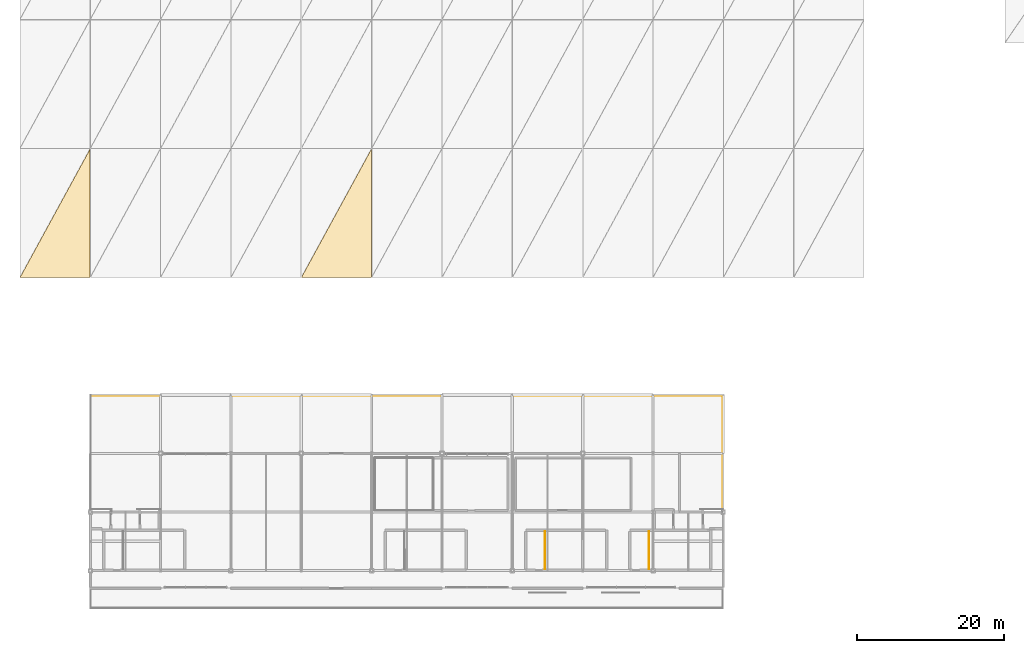
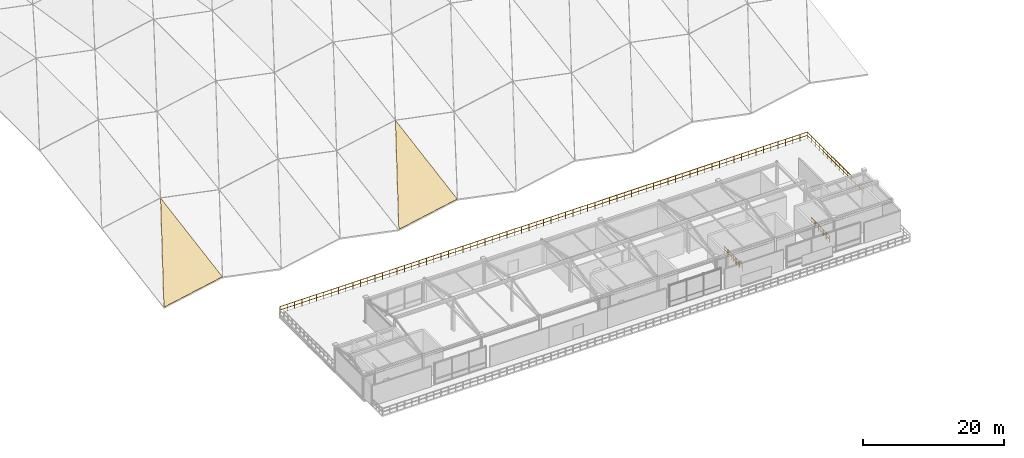
# One storey, part 24 of 26: 5 railings, 2 coverings.
"""IFC4 building model written with IfcOpenShell, lengths in metres."""

from ifc_helpers import new_model, si_unit, direction, frame, origin, origin_2d, place, context, subcontext, project, spatial, polyline, circle, outline, extrude, material, layer, layer_set, type_object, element, save


model = new_model("IFC4")

# Units and contexts
model_context = context("Model", 3, precision=1e-05, world=origin(), true_north=direction((0.0, 1.0)))
body_context = subcontext(model_context, "Body", "Model", "MODEL_VIEW")
ifc_project = project(units=[si_unit("LENGTHUNIT", "METRE"), si_unit("AREAUNIT", "SQUARE_METRE"), si_unit("VOLUMEUNIT", "CUBIC_METRE"), si_unit("PLANEANGLEUNIT", "RADIAN"), si_unit("MASSUNIT", "GRAM", prefix="KILO")], contexts=[model_context])

# Site, building, storey
site_placement = place(None, origin())
site = spatial("IfcSite", under=ifc_project, at=site_placement, CompositionType="ELEMENT")
building_placement = place(site_placement, origin())
building = spatial("IfcBuilding", under=site, at=building_placement, Name="Danafjord Basin Convention Centre", CompositionType="ELEMENT")
storey_placement = place(building_placement, frame((0.0, 0.0, 29.39990234375)))
storey = spatial("IfcBuildingStorey", under=building, at=storey_placement, Name="RF", CompositionType="ELEMENT", Elevation=29.39990234375)

# Coverings
ifc_material_1 = material(Name="Standing-seam zinc insulated roof cladding")
ifc_layer = layer(ifc_material_1, 0.0400390625)
ifc_layer_set = layer_set([ifc_layer], Name="Standing-seam zinc insulated roof cladding")
covering_type = type_object("IfcCoveringType", Name="COV-ROOF-ZINC", PredefinedType="ROOFING", material=ifc_layer_set)
for number, where, z_axis, x_axis, name in (
    (1, (0.031982421875, 56.029296875, -5.348388671875), (-0.193412311273, -0.165479980801, 0.967061556367), (0.980580675691, 0.0, 0.196116135138), "V1 standing-seam zinc roof panel"),
    (2, (38.431884765625, 56.029296875, -5.348388671875), (-0.193412311273, -0.165479980801, 0.967061556367), (0.980580675691, 0.0, 0.196116135138), "V1 standing-seam zinc roof panel"),
):
    element("IfcCovering", number, at=place(storey_placement, frame(where, z_axis=z_axis, x_axis=x_axis)), inside=storey, type_object=covering_type, Name=name, PredefinedType="ROOFING", context=body_context, shape_type="SweptSolid", body=[
        extrude(outline(polyline([(0.0, 0.0), (9.741168870572155, 5.551115123125783e-17), (10.328846957165434, 17.756772866125633), (0.0, 0.0)])), origin(), (0.0, 0.0, -1.0), 0.0400390625),
    ])

# Railings
ifc_material_2 = material(Name="Laminated structural glass and stainless steel", Category="steel")
railing_type_1 = type_object("IfcRailingType", Name="RL-BAL-GLS", PredefinedType="BALUSTRADE", material=ifc_material_2)
railing_placement = place(storey_placement, frame((9.679931640625, 39.919921875, 0.0)))
element("IfcRailing", 3, at=railing_placement, inside=storey, type_object=railing_type_1, Name="RF safety guard balustrade 330", PredefinedType="BALUSTRADE", context=body_context, shape_type="SweptSolid", body=[
    extrude(circle(Radius=0.02392578125, at=origin_2d()), frame((0.0, 0.0, 1.1259765625), z_axis=(1.0, 0.0, 0.0), x_axis=(0.0, 1.0, 0.0)), (0.0, 0.0, 1.0), 86.239990234375),
    extrude(circle(Radius=0.02392578125, at=origin_2d()), frame((0.0, 0.0, 0.55078125), z_axis=(1.0, 0.0, 0.0), x_axis=(0.0, 1.0, 0.0)), (0.0, 0.0, 1.0), 86.239990234375),
    extrude(circle(Radius=0.02392578125, at=origin_2d()), frame((86.239990234375, 0.0, 1.1259765625), z_axis=(0.0, -1.0, 0.0), x_axis=(1.0, 0.0, 0.0)), (0.0, 0.0, 1.0), 15.844970703125),
    extrude(circle(Radius=0.02392578125, at=origin_2d()), frame((86.239990234375, 0.0, 0.55078125), z_axis=(0.0, -1.0, 0.0), x_axis=(1.0, 0.0, 0.0)), (0.0, 0.0, 1.0), 15.844970703125),
    extrude(circle(Radius=0.02099609375, at=origin_2d()), origin(), (0.0, 0.0, 1.0), 1.099853515625),
    extrude(circle(Radius=0.02099609375, at=origin_2d()), frame((1.19775390625, 0.0, 0.0)), (0.0, 0.0, 1.0), 1.099853515625),
    extrude(circle(Radius=0.02099609375, at=origin_2d()), frame((2.3955078125, 0.0, 0.0)), (0.0, 0.0, 1.0), 1.099853515625),
    extrude(circle(Radius=0.02099609375, at=origin_2d()), frame((3.59326171875, 0.0, 0.0)), (0.0, 0.0, 1.0), 1.099853515625),
    extrude(circle(Radius=0.02099609375, at=origin_2d()), frame((4.791015625, 0.0, 0.0)), (0.0, 0.0, 1.0), 1.099853515625),
    extrude(circle(Radius=0.02099609375, at=origin_2d()), frame((5.98876953125, 0.0, 0.0)), (0.0, 0.0, 1.0), 1.099853515625),
    extrude(circle(Radius=0.02099609375, at=origin_2d()), frame((7.186767578125, 0.0, 0.0)), (0.0, 0.0, 1.0), 1.099853515625),
    extrude(circle(Radius=0.02099609375, at=origin_2d()), frame((8.384521484375, 0.0, 0.0)), (0.0, 0.0, 1.0), 1.099853515625),
    extrude(circle(Radius=0.02099609375, at=origin_2d()), frame((9.582275390625, 0.0, 0.0)), (0.0, 0.0, 1.0), 1.099853515625),
    extrude(circle(Radius=0.02099609375, at=origin_2d()), frame((10.780029296875, 0.0, 0.0)), (0.0, 0.0, 1.0), 1.099853515625),
    extrude(circle(Radius=0.02099609375, at=origin_2d()), frame((11.977783203125, 0.0, 0.0)), (0.0, 0.0, 1.0), 1.099853515625),
    extrude(circle(Radius=0.02099609375, at=origin_2d()), frame((13.175537109375, 0.0, 0.0)), (0.0, 0.0, 1.0), 1.099853515625),
    extrude(circle(Radius=0.02099609375, at=origin_2d()), frame((14.373291015625, 0.0, 0.0)), (0.0, 0.0, 1.0), 1.099853515625),
    extrude(circle(Radius=0.02099609375, at=origin_2d()), frame((15.571044921875, 0.0, 0.0)), (0.0, 0.0, 1.0), 1.099853515625),
    extrude(circle(Radius=0.02099609375, at=origin_2d()), frame((16.768798828125, 0.0, 0.0)), (0.0, 0.0, 1.0), 1.099853515625),
    extrude(circle(Radius=0.02099609375, at=origin_2d()), frame((17.966552734375, 0.0, 0.0)), (0.0, 0.0, 1.0), 1.099853515625),
    extrude(circle(Radius=0.02099609375, at=origin_2d()), frame((19.16455078125, 0.0, 0.0)), (0.0, 0.0, 1.0), 1.099853515625),
    extrude(circle(Radius=0.02099609375, at=origin_2d()), frame((20.3623046875, 0.0, 0.0)), (0.0, 0.0, 1.0), 1.099853515625),
    extrude(circle(Radius=0.02099609375, at=origin_2d()), frame((21.56005859375, 0.0, 0.0)), (0.0, 0.0, 1.0), 1.099853515625),
    extrude(circle(Radius=0.02099609375, at=origin_2d()), frame((22.7578125, 0.0, 0.0)), (0.0, 0.0, 1.0), 1.099853515625),
    extrude(circle(Radius=0.02099609375, at=origin_2d()), frame((23.95556640625, 0.0, 0.0)), (0.0, 0.0, 1.0), 1.099853515625),
    extrude(circle(Radius=0.02099609375, at=origin_2d()), frame((25.1533203125, 0.0, 0.0)), (0.0, 0.0, 1.0), 1.099853515625),
    extrude(circle(Radius=0.02099609375, at=origin_2d()), frame((26.35107421875, 0.0, 0.0)), (0.0, 0.0, 1.0), 1.099853515625),
    extrude(circle(Radius=0.02099609375, at=origin_2d()), frame((27.548828125, 0.0, 0.0)), (0.0, 0.0, 1.0), 1.099853515625),
    extrude(circle(Radius=0.02099609375, at=origin_2d()), frame((28.74658203125, 0.0, 0.0)), (0.0, 0.0, 1.0), 1.099853515625),
    extrude(circle(Radius=0.02099609375, at=origin_2d()), frame((29.9443359375, 0.0, 0.0)), (0.0, 0.0, 1.0), 1.099853515625),
    extrude(circle(Radius=0.02099609375, at=origin_2d()), frame((31.142333984375, 0.0, 0.0)), (0.0, 0.0, 1.0), 1.099853515625),
    extrude(circle(Radius=0.02099609375, at=origin_2d()), frame((32.340087890625, 0.0, 0.0)), (0.0, 0.0, 1.0), 1.099853515625),
    extrude(circle(Radius=0.02099609375, at=origin_2d()), frame((33.537841796875, 0.0, 0.0)), (0.0, 0.0, 1.0), 1.099853515625),
    extrude(circle(Radius=0.02099609375, at=origin_2d()), frame((34.735595703125, 0.0, 0.0)), (0.0, 0.0, 1.0), 1.099853515625),
    extrude(circle(Radius=0.02099609375, at=origin_2d()), frame((35.933349609375, 0.0, 0.0)), (0.0, 0.0, 1.0), 1.099853515625),
    extrude(circle(Radius=0.02099609375, at=origin_2d()), frame((37.131103515625, 0.0, 0.0)), (0.0, 0.0, 1.0), 1.099853515625),
    extrude(circle(Radius=0.02099609375, at=origin_2d()), frame((38.328857421875, 0.0, 0.0)), (0.0, 0.0, 1.0), 1.099853515625),
    extrude(circle(Radius=0.02099609375, at=origin_2d()), frame((39.526611328125, 0.0, 0.0)), (0.0, 0.0, 1.0), 1.099853515625),
    extrude(circle(Radius=0.02099609375, at=origin_2d()), frame((40.724365234375, 0.0, 0.0)), (0.0, 0.0, 1.0), 1.099853515625),
    extrude(circle(Radius=0.02099609375, at=origin_2d()), frame((41.922119140625, 0.0, 0.0)), (0.0, 0.0, 1.0), 1.099853515625),
    extrude(circle(Radius=0.02099609375, at=origin_2d()), frame((43.1201171875, 0.0, 0.0)), (0.0, 0.0, 1.0), 1.099853515625),
    extrude(circle(Radius=0.02099609375, at=origin_2d()), frame((44.31787109375, 0.0, 0.0)), (0.0, 0.0, 1.0), 1.099853515625),
    extrude(circle(Radius=0.02099609375, at=origin_2d()), frame((45.515625, 0.0, 0.0)), (0.0, 0.0, 1.0), 1.099853515625),
    extrude(circle(Radius=0.02099609375, at=origin_2d()), frame((46.71337890625, 0.0, 0.0)), (0.0, 0.0, 1.0), 1.099853515625),
    extrude(circle(Radius=0.02099609375, at=origin_2d()), frame((47.9111328125, 0.0, 0.0)), (0.0, 0.0, 1.0), 1.099853515625),
    extrude(circle(Radius=0.02099609375, at=origin_2d()), frame((49.10888671875, 0.0, 0.0)), (0.0, 0.0, 1.0), 1.099853515625),
    extrude(circle(Radius=0.02099609375, at=origin_2d()), frame((50.306640625, 0.0, 0.0)), (0.0, 0.0, 1.0), 1.099853515625),
    extrude(circle(Radius=0.02099609375, at=origin_2d()), frame((51.50439453125, 0.0, 0.0)), (0.0, 0.0, 1.0), 1.099853515625),
    extrude(circle(Radius=0.02099609375, at=origin_2d()), frame((52.7021484375, 0.0, 0.0)), (0.0, 0.0, 1.0), 1.099853515625),
    extrude(circle(Radius=0.02099609375, at=origin_2d()), frame((53.89990234375, 0.0, 0.0)), (0.0, 0.0, 1.0), 1.099853515625),
    extrude(circle(Radius=0.02099609375, at=origin_2d()), frame((55.09765625, 0.0, 0.0)), (0.0, 0.0, 1.0), 1.099853515625),
    extrude(circle(Radius=0.02099609375, at=origin_2d()), frame((56.295654296875, 0.0, 0.0)), (0.0, 0.0, 1.0), 1.099853515625),
    extrude(circle(Radius=0.02099609375, at=origin_2d()), frame((57.493408203125, 0.0, 0.0)), (0.0, 0.0, 1.0), 1.099853515625),
    extrude(circle(Radius=0.02099609375, at=origin_2d()), frame((58.691162109375, 0.0, 0.0)), (0.0, 0.0, 1.0), 1.099853515625),
    extrude(circle(Radius=0.02099609375, at=origin_2d()), frame((59.888916015625, 0.0, 0.0)), (0.0, 0.0, 1.0), 1.099853515625),
    extrude(circle(Radius=0.02099609375, at=origin_2d()), frame((61.086669921875, 0.0, 0.0)), (0.0, 0.0, 1.0), 1.099853515625),
    extrude(circle(Radius=0.02099609375, at=origin_2d()), frame((62.284423828125, 0.0, 0.0)), (0.0, 0.0, 1.0), 1.099853515625),
    extrude(circle(Radius=0.02099609375, at=origin_2d()), frame((63.482177734375, 0.0, 0.0)), (0.0, 0.0, 1.0), 1.099853515625),
    extrude(circle(Radius=0.02099609375, at=origin_2d()), frame((64.679931640625, 0.0, 0.0)), (0.0, 0.0, 1.0), 1.099853515625),
    extrude(circle(Radius=0.02099609375, at=origin_2d()), frame((65.877685546875, 0.0, 0.0)), (0.0, 0.0, 1.0), 1.099853515625),
    extrude(circle(Radius=0.02099609375, at=origin_2d()), frame((67.075439453125, 0.0, 0.0)), (0.0, 0.0, 1.0), 1.099853515625),
    extrude(circle(Radius=0.02099609375, at=origin_2d()), frame((68.2734375, 0.0, 0.0)), (0.0, 0.0, 1.0), 1.099853515625),
    extrude(circle(Radius=0.02099609375, at=origin_2d()), frame((69.47119140625, 0.0, 0.0)), (0.0, 0.0, 1.0), 1.099853515625),
    extrude(circle(Radius=0.02099609375, at=origin_2d()), frame((70.6689453125, 0.0, 0.0)), (0.0, 0.0, 1.0), 1.099853515625),
    extrude(circle(Radius=0.02099609375, at=origin_2d()), frame((71.86669921875, 0.0, 0.0)), (0.0, 0.0, 1.0), 1.099853515625),
    extrude(circle(Radius=0.02099609375, at=origin_2d()), frame((73.064453125, 0.0, 0.0)), (0.0, 0.0, 1.0), 1.099853515625),
    extrude(circle(Radius=0.02099609375, at=origin_2d()), frame((74.26220703125, 0.0, 0.0)), (0.0, 0.0, 1.0), 1.099853515625),
    extrude(circle(Radius=0.02099609375, at=origin_2d()), frame((75.4599609375, 0.0, 0.0)), (0.0, 0.0, 1.0), 1.099853515625),
    extrude(circle(Radius=0.02099609375, at=origin_2d()), frame((76.65771484375, 0.0, 0.0)), (0.0, 0.0, 1.0), 1.099853515625),
    extrude(circle(Radius=0.02099609375, at=origin_2d()), frame((77.85546875, 0.0, 0.0)), (0.0, 0.0, 1.0), 1.099853515625),
    extrude(circle(Radius=0.02099609375, at=origin_2d()), frame((79.05322265625, 0.0, 0.0)), (0.0, 0.0, 1.0), 1.099853515625),
    extrude(circle(Radius=0.02099609375, at=origin_2d()), frame((80.251220703125, 0.0, 0.0)), (0.0, 0.0, 1.0), 1.099853515625),
    extrude(circle(Radius=0.02099609375, at=origin_2d()), frame((81.448974609375, 0.0, 0.0)), (0.0, 0.0, 1.0), 1.099853515625),
    extrude(circle(Radius=0.02099609375, at=origin_2d()), frame((82.646728515625, 0.0, 0.0)), (0.0, 0.0, 1.0), 1.099853515625),
    extrude(circle(Radius=0.02099609375, at=origin_2d()), frame((83.844482421875, 0.0, 0.0)), (0.0, 0.0, 1.0), 1.099853515625),
    extrude(circle(Radius=0.02099609375, at=origin_2d()), frame((85.042236328125, 0.0, 0.0)), (0.0, 0.0, 1.0), 1.099853515625),
    extrude(circle(Radius=0.02099609375, at=origin_2d()), frame((86.239990234375, 0.0, 0.0)), (0.0, 0.0, 1.0), 1.099853515625),
    extrude(circle(Radius=0.02099609375, at=origin_2d()), frame((86.239990234375, -1.1318359375, 0.0)), (0.0, 0.0, 1.0), 1.099853515625),
    extrude(circle(Radius=0.02099609375, at=origin_2d()), frame((86.239990234375, -2.263671875, 0.0)), (0.0, 0.0, 1.0), 1.099853515625),
    extrude(circle(Radius=0.02099609375, at=origin_2d()), frame((86.239990234375, -3.395263671875, 0.0)), (0.0, 0.0, 1.0), 1.099853515625),
    extrude(circle(Radius=0.02099609375, at=origin_2d()), frame((86.239990234375, -4.527099609375, 0.0)), (0.0, 0.0, 1.0), 1.099853515625),
    extrude(circle(Radius=0.02099609375, at=origin_2d()), frame((86.239990234375, -5.658935546875, 0.0)), (0.0, 0.0, 1.0), 1.099853515625),
    extrude(circle(Radius=0.02099609375, at=origin_2d()), frame((86.239990234375, -6.790771484375, 0.0)), (0.0, 0.0, 1.0), 1.099853515625),
    extrude(circle(Radius=0.02099609375, at=origin_2d()), frame((86.239990234375, -7.92236328125, 0.0)), (0.0, 0.0, 1.0), 1.099853515625),
    extrude(circle(Radius=0.02099609375, at=origin_2d()), frame((86.239990234375, -9.05419921875, 0.0)), (0.0, 0.0, 1.0), 1.099853515625),
    extrude(circle(Radius=0.02099609375, at=origin_2d()), frame((86.239990234375, -10.18603515625, 0.0)), (0.0, 0.0, 1.0), 1.099853515625),
    extrude(circle(Radius=0.02099609375, at=origin_2d()), frame((86.239990234375, -11.31787109375, 0.0)), (0.0, 0.0, 1.0), 1.099853515625),
    extrude(circle(Radius=0.02099609375, at=origin_2d()), frame((86.239990234375, -12.44970703125, 0.0)), (0.0, 0.0, 1.0), 1.099853515625),
    extrude(circle(Radius=0.02099609375, at=origin_2d()), frame((86.239990234375, -13.581298828125, 0.0)), (0.0, 0.0, 1.0), 1.099853515625),
    extrude(circle(Radius=0.02099609375, at=origin_2d()), frame((86.239990234375, -14.713134765625, 0.0)), (0.0, 0.0, 1.0), 1.099853515625),
    extrude(circle(Radius=0.02099609375, at=origin_2d()), frame((86.239990234375, -15.844970703125, 0.0)), (0.0, 0.0, 1.0), 1.099853515625),
])
ifc_material_3 = material(Name="Galvanised and powder-coated steel S355", Category="steel")
railing_type_2 = type_object("IfcRailingType", Name="RL-BAL-STL", PredefinedType="BALUSTRADE", material=ifc_material_3)
for number, where, name in (
    (4, (85.85009765625, 21.375, 0.0), "RF safety guard balustrade 335"),
    (5, (71.64990234375, 21.375, 0.0), "RF safety guard balustrade 337"),
):
    element("IfcRailing", number, at=place(storey_placement, frame(where)), inside=storey, type_object=railing_type_2, Name=name, PredefinedType="BALUSTRADE", context=body_context, shape_type="SweptSolid", body=[
        extrude(circle(Radius=0.02392578125, at=origin_2d()), frame((0.0, 0.0, 1.1259765625), z_axis=(0.0, -1.0, 0.0), x_axis=(1.0, 0.0, 0.0)), (0.0, 0.0, 1.0), 5.18994140625),
        extrude(circle(Radius=0.02392578125, at=origin_2d()), frame((0.0, 0.0, 0.55078125), z_axis=(0.0, -1.0, 0.0), x_axis=(1.0, 0.0, 0.0)), (0.0, 0.0, 1.0), 5.18994140625),
        extrude(circle(Radius=0.02099609375, at=origin_2d()), origin(), (0.0, 0.0, 1.0), 1.099853515625),
        extrude(circle(Radius=0.02099609375, at=origin_2d()), frame((0.0, -1.0380859375, 0.0)), (0.0, 0.0, 1.0), 1.099853515625),
        extrude(circle(Radius=0.02099609375, at=origin_2d()), frame((0.0, -2.075927734375, 0.0)), (0.0, 0.0, 1.0), 1.099853515625),
        extrude(circle(Radius=0.02099609375, at=origin_2d()), frame((0.0, -3.114013671875, 0.0)), (0.0, 0.0, 1.0), 1.099853515625),
        extrude(circle(Radius=0.02099609375, at=origin_2d()), frame((0.0, -4.15185546875, 0.0)), (0.0, 0.0, 1.0), 1.099853515625),
        extrude(circle(Radius=0.02099609375, at=origin_2d()), frame((0.0, -5.18994140625, 0.0)), (0.0, 0.0, 1.0), 1.099853515625),
    ])
ifc_material_4 = material(Name="Galvanised steel S355", Category="steel")
railing_type_3 = type_object("IfcRailingType", Name="RL-GD-WELL", PredefinedType="BALUSTRADE", material=ifc_material_4)
for number, where, name in (
    (6, (85.8798828125, 16.2099609375, 0.0), "RF ST-03 top well guard 1"),
    (7, (71.679931640625, 16.2099609375, 0.0), "RF ST-06 top well guard 1"),
):
    element("IfcRailing", number, at=place(storey_placement, frame(where)), inside=storey, type_object=railing_type_3, Name=name, PredefinedType="BALUSTRADE", context=body_context, shape_type="SweptSolid", body=[
        extrude(circle(Radius=0.02392578125, at=origin_2d()), frame((0.0, 0.0, 1.076171875), z_axis=(0.0, 1.0, 0.0), x_axis=(-1.0, 0.0, 0.0)), (0.0, 0.0, 1.0), 2.64013671875),
        extrude(circle(Radius=0.02392578125, at=origin_2d()), frame((0.0, 0.0, 0.52587890625), z_axis=(0.0, 1.0, 0.0), x_axis=(-1.0, 0.0, 0.0)), (0.0, 0.0, 1.0), 2.64013671875),
        extrude(circle(Radius=0.02099609375, at=origin_2d()), origin(), (0.0, 0.0, 1.0), 1.050048828125),
        extrude(circle(Radius=0.02099609375, at=origin_2d()), frame((0.0, 0.880126953125, 0.0)), (0.0, 0.0, 1.0), 1.050048828125),
        extrude(circle(Radius=0.02099609375, at=origin_2d()), frame((0.0, 1.760009765625, 0.0)), (0.0, 0.0, 1.0), 1.050048828125),
        extrude(circle(Radius=0.02099609375, at=origin_2d()), frame((0.0, 2.64013671875, 0.0)), (0.0, 0.0, 1.0), 1.050048828125),
    ])

save(model, "model.ifc")
